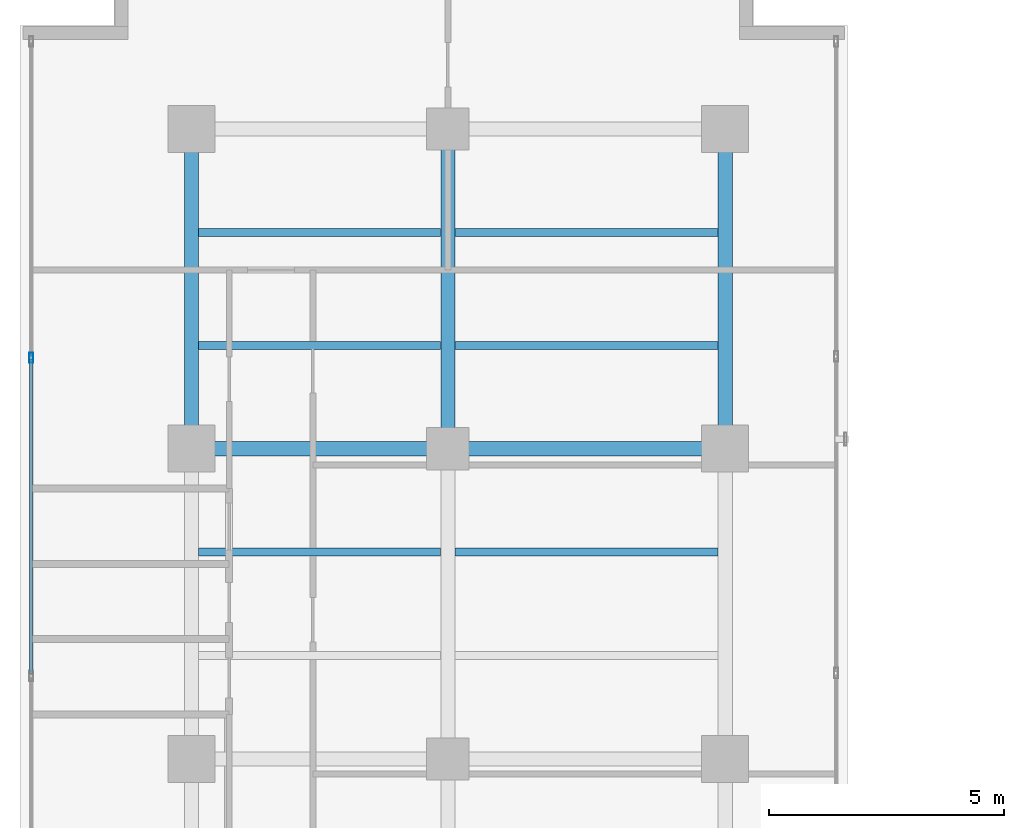
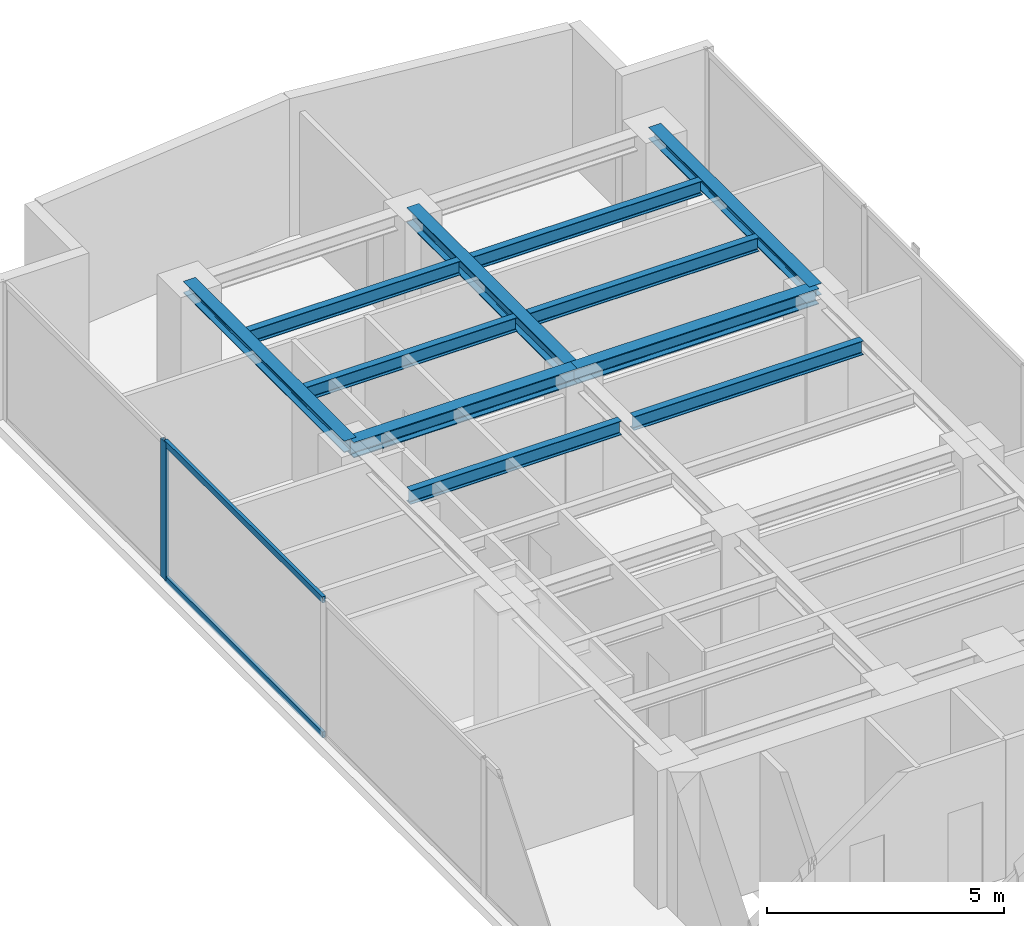
# One storey, part 13 of 24: 11 beams, 3 members, 1 element without a shape of its own.
"""IFC4 building model written with IfcOpenShell, lengths in metres."""

from ifc_helpers import new_model, si_unit, direction, frame, origin, origin_with_axes, origin_2d, place, context, subcontext, project, spatial, hollow_rectangle, i_section, extrude, source, transform, mapped, material, layer, layer_set, material_profile, profile_set, type_object, element, aggregate, save


model = new_model("IFC4")

# Units and contexts
model_context = context("Model", 3, precision=1e-05, world=origin(), true_north=direction((0.0, 1.0)))
body_context = subcontext(model_context, "Body", "Model", "MODEL_VIEW")
ifc_project = project(units=[si_unit("LENGTHUNIT", "METRE"), si_unit("AREAUNIT", "SQUARE_METRE"), si_unit("VOLUMEUNIT", "CUBIC_METRE"), si_unit("PLANEANGLEUNIT", "RADIAN"), si_unit("MASSUNIT", "GRAM", prefix="KILO")], contexts=[model_context])

# Site, building, storey
site_placement = place(None, origin())
site = spatial("IfcSite", under=ifc_project, at=site_placement, CompositionType="ELEMENT")
building_placement = place(site_placement, origin())
building = spatial("IfcBuilding", under=site, at=building_placement, Name="Kolvaren Waterfront Exchange", CompositionType="ELEMENT")
storey_placement = place(building_placement, frame((0.0, 0.0, 238.699951171875)))
storey = spatial("IfcBuildingStorey", under=building, at=storey_placement, Name="L61", CompositionType="ELEMENT", Elevation=238.699951171875)

# Beams
ifc_material_1 = material(Name="Steel S355", Category="steel")
ifc_material_profile_1 = material_profile(ifc_material_1, i_section(OverallWidth=0.300048828125, OverallDepth=0.300048828125, WebThickness=0.010986328125, FlangeThickness=0.01904296875, FilletRadius=0.027099609375, at=origin_2d()), Name="HEB300")
ifc_profile_set_1 = profile_set([ifc_material_profile_1], Name="Steel S355")
beam_type_1 = type_object("IfcBeamType", Name="STR-BM-HEB300", PredefinedType="SPANDREL", material=ifc_profile_set_1)
for number, where, z_axis, x_axis, name in (
    (1, (7.449951171875, 37.800048828125, 3.41015625), (0.0, 1.0, 0.0), (-1.0, 0.0, 0.0), "L61 north-arm edge beam 3"),
    (2, (18.800048828125, 37.800048828125, 3.41015625), (0.0, 1.0, 0.0), (-1.0, 0.0, 0.0), "L61 north-arm edge beam 3"),
):
    element("IfcBeam", number, at=place(storey_placement, frame(where, z_axis=z_axis, x_axis=x_axis)), inside=storey, type_object=beam_type_1, Name=name, PredefinedType="SPANDREL", context=body_context, shape_type="SweptSolid", body=[
        extrude(i_section(OverallWidth=0.300048828125, OverallDepth=0.300048828125, WebThickness=0.010986328125, FlangeThickness=0.01904296875, FilletRadius=0.027099609375, at=origin_2d()), origin(), (0.0, 0.0, 1.0), 6.800048828125),
    ])
ifc_material_profile_2 = material_profile(ifc_material_1, i_section(OverallWidth=0.300048828125, OverallDepth=0.39990234375, WebThickness=0.013427734375, FlangeThickness=0.02392578125, FilletRadius=0.027099609375, at=origin_2d()), Name="HEB400")
ifc_profile_set_2 = profile_set([ifc_material_profile_2], Name="Steel S355")
beam_type_2 = type_object("IfcBeamType", Name="STR-BM-HEB400", PredefinedType="BEAM", material=ifc_profile_set_2)
beam_1_placement = place(storey_placement, frame((7.449951171875, 37.800048828125, 3.360107421875), z_axis=(1.0, 0.0, 0.0), x_axis=(0.0, 1.0, 0.0)))
element("IfcBeam", 3, at=beam_1_placement, inside=storey, type_object=beam_type_2, Name="L61 north-arm girder 3A", PredefinedType="BEAM", context=body_context, shape_type="SweptSolid", body=[
    extrude(i_section(OverallWidth=0.300048828125, OverallDepth=0.39990234375, WebThickness=0.013427734375, FlangeThickness=0.02392578125, FilletRadius=0.027099609375, at=origin_2d()), origin(), (0.0, 0.0, 1.0), 5.449951171875),
])
beam_2_placement = place(storey_placement, frame((12.89990234375, 37.800048828125, 3.360107421875), z_axis=(1.0, 0.0, 0.0), x_axis=(0.0, 1.0, 0.0)))
element("IfcBeam", 4, at=beam_2_placement, inside=storey, type_object=beam_type_2, Name="L61 north-arm girder 3B", PredefinedType="BEAM", context=body_context, shape_type="SweptSolid", body=[
    extrude(i_section(OverallWidth=0.300048828125, OverallDepth=0.39990234375, WebThickness=0.013427734375, FlangeThickness=0.02392578125, FilletRadius=0.027099609375, at=origin_2d()), origin(), (0.0, 0.0, 1.0), 5.900146484375),
])
beam_3_placement = place(storey_placement, frame((12.89990234375, 37.800048828125, 3.360107421875), z_axis=(0.0, 1.0, 0.0), x_axis=(-1.0, 0.0, 0.0)))
element("IfcBeam", 5, at=beam_3_placement, inside=storey, type_object=beam_type_2, Name="L61 north-arm edge beam 3", PredefinedType="BEAM", context=body_context, shape_type="SweptSolid", body=[
    extrude(i_section(OverallWidth=0.300048828125, OverallDepth=0.39990234375, WebThickness=0.013427734375, FlangeThickness=0.02392578125, FilletRadius=0.027099609375, at=origin_2d()), origin(), (0.0, 0.0, 1.0), 6.800048828125),
])
ifc_material_profile_3 = material_profile(ifc_material_1, i_section(OverallWidth=0.169921875, OverallDepth=0.360107421875, WebThickness=0.008056640625, FlangeThickness=0.0126953125, FilletRadius=0.01806640625, at=origin_2d()), Name="IPE360")
ifc_profile_set_3 = profile_set([ifc_material_profile_3], Name="Steel S355")
beam_type_3 = type_object("IfcBeamType", Name="STR-BM-IPE360", PredefinedType="JOIST", material=ifc_profile_set_3)
beam_4_placement = place(storey_placement, frame((7.60205078125, 35.60009765625, 3.380126953125), z_axis=(1.0, 0.0, 0.0), x_axis=(0.0, 1.0, 0.0)))
element("IfcBeam", 6, at=beam_4_placement, inside=storey, type_object=beam_type_3, Name="L61 north-arm composite joist 4A", PredefinedType="JOIST", context=body_context, shape_type="SweptSolid", body=[
    extrude(i_section(OverallWidth=0.169921875, OverallDepth=0.360107421875, WebThickness=0.008056640625, FlangeThickness=0.0126953125, FilletRadius=0.01806640625, at=origin_2d()), origin(), (0.0, 0.0, 1.0), 5.14599609375),
])
beam_5_placement = place(storey_placement, frame((13.052001953125, 35.60009765625, 3.380126953125), z_axis=(1.0, 0.0, 0.0), x_axis=(0.0, 1.0, 0.0)))
element("IfcBeam", 7, at=beam_5_placement, inside=storey, type_object=beam_type_3, Name="L61 north-arm composite joist 4B", PredefinedType="JOIST", context=body_context, shape_type="SweptSolid", body=[
    extrude(i_section(OverallWidth=0.169921875, OverallDepth=0.360107421875, WebThickness=0.008056640625, FlangeThickness=0.0126953125, FilletRadius=0.01806640625, at=origin_2d()), origin(), (0.0, 0.0, 1.0), 5.595947265625),
])
beam_6_placement = place(storey_placement, frame((7.60205078125, 40.0, 3.380126953125), z_axis=(1.0, 0.0, 0.0), x_axis=(0.0, 1.0, 0.0)))
element("IfcBeam", 8, at=beam_6_placement, inside=storey, type_object=beam_type_3, Name="L61 north-arm composite joist 5A", PredefinedType="JOIST", context=body_context, shape_type="SweptSolid", body=[
    extrude(i_section(OverallWidth=0.169921875, OverallDepth=0.360107421875, WebThickness=0.008056640625, FlangeThickness=0.0126953125, FilletRadius=0.01806640625, at=origin_2d()), origin(), (0.0, 0.0, 1.0), 5.14599609375),
])
beam_7_placement = place(storey_placement, frame((13.052001953125, 40.0, 3.380126953125), z_axis=(1.0, 0.0, 0.0), x_axis=(0.0, 1.0, 0.0)))
element("IfcBeam", 9, at=beam_7_placement, inside=storey, type_object=beam_type_3, Name="L61 north-arm composite joist 5B", PredefinedType="JOIST", context=body_context, shape_type="SweptSolid", body=[
    extrude(i_section(OverallWidth=0.169921875, OverallDepth=0.360107421875, WebThickness=0.008056640625, FlangeThickness=0.0126953125, FilletRadius=0.01806640625, at=origin_2d()), origin(), (0.0, 0.0, 1.0), 5.595947265625),
])
beam_8_placement = place(storey_placement, frame((7.60205078125, 42.39990234375, 3.380126953125), z_axis=(1.0, 0.0, 0.0), x_axis=(0.0, 1.0, 0.0)))
element("IfcBeam", 10, at=beam_8_placement, inside=storey, type_object=beam_type_3, Name="L61 north-arm composite joist 6A", PredefinedType="JOIST", context=body_context, shape_type="SweptSolid", body=[
    extrude(i_section(OverallWidth=0.169921875, OverallDepth=0.360107421875, WebThickness=0.008056640625, FlangeThickness=0.0126953125, FilletRadius=0.01806640625, at=origin_2d()), origin(), (0.0, 0.0, 1.0), 5.14599609375),
])
beam_9_placement = place(storey_placement, frame((13.052001953125, 42.39990234375, 3.380126953125), z_axis=(1.0, 0.0, 0.0), x_axis=(0.0, 1.0, 0.0)))
element("IfcBeam", 11, at=beam_9_placement, inside=storey, type_object=beam_type_3, Name="L61 north-arm composite joist 6B", PredefinedType="JOIST", context=body_context, shape_type="SweptSolid", body=[
    extrude(i_section(OverallWidth=0.169921875, OverallDepth=0.360107421875, WebThickness=0.008056640625, FlangeThickness=0.0126953125, FilletRadius=0.01806640625, at=origin_2d()), origin(), (0.0, 0.0, 1.0), 5.595947265625),
])

# Curtain wall, members
ifc_material_2 = material(Name="Anodised aluminium 6063-T6", Category="aluminium")
ifc_layer = layer(ifc_material_2, 0.219970703125, Name="Anodised aluminium 6063-T6")
ifc_layer_set = layer_set([ifc_layer], Name="Anodised aluminium 6063-T6")
curtain_wall_type = type_object("IfcCurtainWallType", Name="ARC-CW-SYS2", PredefinedType="USERDEFINED", material=ifc_layer_set)
curtain_wall_placement = place(storey_placement, origin())
curtain_wall = element("IfcCurtainWall", 12, at=curtain_wall_placement, inside=storey, type_object=curtain_wall_type, Name="L61 stick curtain wall CW2 (CW-L61-W)", ObjectType="STICK CURTAIN WALL", PredefinedType="USERDEFINED")
ifc_material_profile_4 = material_profile(ifc_material_2, hollow_rectangle(XDim=0.080078125, YDim=0.219970703125, WallThickness=0.0048828125, at=origin_2d()), Name="ALU-MUL-220x80x5")
ifc_profile_set_4 = profile_set([ifc_material_profile_4], Name="Anodised aluminium 6063-T6")
member_type_1 = type_object("IfcMemberType", Name="ARC-CWM-220", PredefinedType="MULLION", material=ifc_profile_set_4)
shared_shape_1 = source(origin_with_axes(), body_context, "Body", "SweptSolid", [
    extrude(hollow_rectangle(XDim=0.080078125, YDim=0.219970703125, WallThickness=0.0048828125, at=origin_2d()), origin(), (0.0, 0.0, 1.0), 3.56005859375),
])
member_1_placement = place(storey_placement, frame((4.0400390625, 39.7333984375, 0.0), z_axis=(0.0, 0.0, 1.0), x_axis=(-1.0, 0.0, 0.0)))
member_1 = element("IfcMember", 13, at=member_1_placement, type_object=member_type_1, Name="CW2 mullion 6", PredefinedType="MULLION", context=body_context, shape_type="MappedRepresentation", body=[
    mapped(shared_shape_1, transform((0.0, 0.0, 0.0), x_axis=(1.0, 0.0, 0.0), y_axis=(0.0, 1.0, 0.0), z_axis=(0.0, 0.0, 1.0), scale=1.0)),
])
ifc_material_profile_5 = material_profile(ifc_material_2, hollow_rectangle(XDim=0.074951171875, YDim=0.159912109375, WallThickness=0.00439453125, at=origin_2d()), Name="ALU-TRN-160x75x4.5")
ifc_profile_set_5 = profile_set([ifc_material_profile_5], Name="Anodised aluminium 6063-T6")
member_type_2 = type_object("IfcMemberType", Name="ARC-CWT-160", PredefinedType="USERDEFINED", material=ifc_profile_set_5)
shared_shape_2 = source(origin_with_axes(), body_context, "Body", "SweptSolid", [
    extrude(hollow_rectangle(XDim=0.074951171875, YDim=0.159912109375, WallThickness=0.00439453125, at=origin_2d()), origin(), (0.0, 0.0, 1.0), 6.686767578125),
])
member_2_placement = place(storey_placement, frame((4.0400390625, 33.006591796875, 0.03759765625), z_axis=(0.0, 1.0, 0.0), x_axis=(-1.0, 0.0, 0.0)))
member_2 = element("IfcMember", 14, at=member_2_placement, type_object=member_type_2, Name="CW2 transom 5.1", ObjectType="TRANSOM", PredefinedType="USERDEFINED", context=body_context, shape_type="MappedRepresentation", body=[
    mapped(shared_shape_2, transform((0.0, 0.0, 0.0), x_axis=(1.0, 0.0, 0.0), y_axis=(0.0, 1.0, 0.0), z_axis=(0.0, 0.0, 1.0), scale=1.0)),
])
member_3_placement = place(storey_placement, frame((4.0400390625, 33.006591796875, 3.5224609375), z_axis=(0.0, 1.0, 0.0), x_axis=(-1.0, 0.0, 0.0)))
member_3 = element("IfcMember", 15, at=member_3_placement, type_object=member_type_2, Name="CW2 transom 5.2", ObjectType="TRANSOM", PredefinedType="USERDEFINED", context=body_context, shape_type="MappedRepresentation", body=[
    mapped(shared_shape_2, transform((0.0, 0.0, 0.0), x_axis=(1.0, 0.0, 0.0), y_axis=(0.0, 1.0, 0.0), z_axis=(0.0, 0.0, 1.0), scale=1.0)),
])
aggregate(curtain_wall, [member_1, member_2, member_3])

save(model, "model.ifc")
